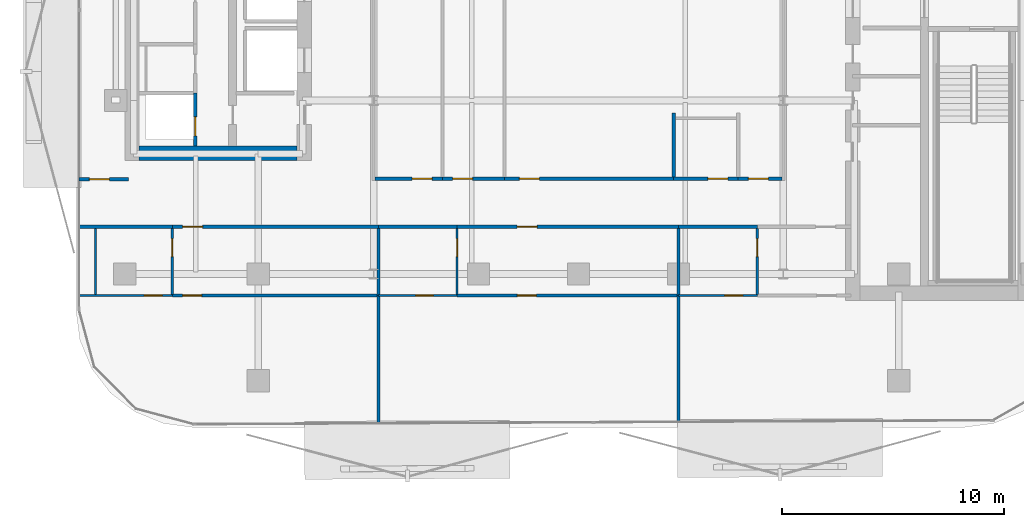
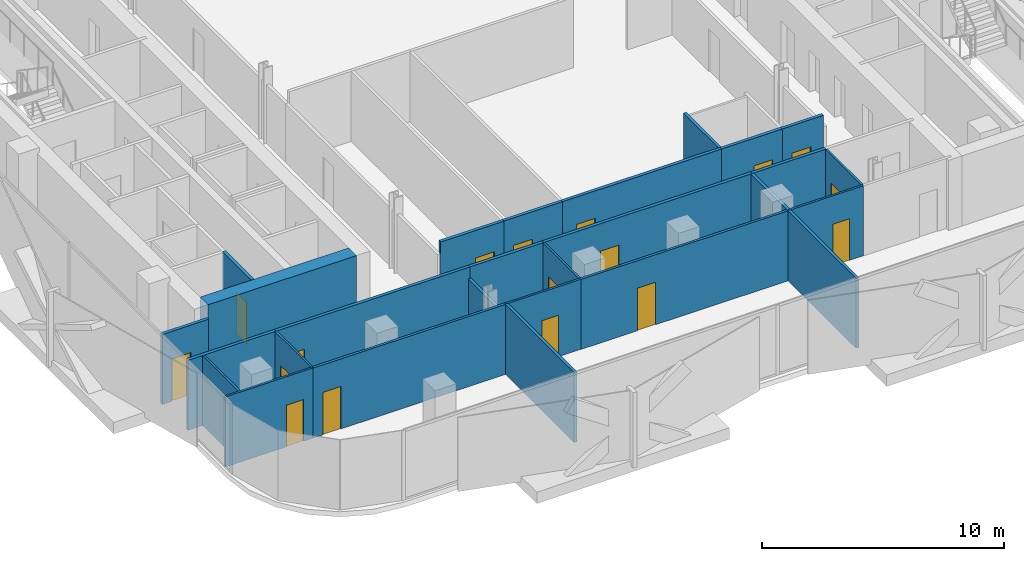
# One storey, part 3 of 17: 27 walls, 17 doors, 17 openings.
"""IFC4 building model written with IfcOpenShell, lengths in metres."""

from ifc_helpers import new_model, si_unit, direction, frame, frame_2d, origin, place, context, subcontext, project, spatial, rectangle, extrude, material, layer, layer_set, type_object, element, fill, save


model = new_model("IFC4")

# Units and contexts
model_context = context("Model", 3, precision=1e-05, world=origin(), true_north=direction((0.0, 1.0)))
body_context = subcontext(model_context, "Body", "Model", "MODEL_VIEW")
ifc_project = project(units=[si_unit("LENGTHUNIT", "METRE"), si_unit("AREAUNIT", "SQUARE_METRE"), si_unit("VOLUMEUNIT", "CUBIC_METRE"), si_unit("PLANEANGLEUNIT", "RADIAN"), si_unit("MASSUNIT", "GRAM", prefix="KILO")], contexts=[model_context])

# Site, building, storey
site_placement = place(None, origin())
site = spatial("IfcSite", under=ifc_project, at=site_placement, CompositionType="ELEMENT")
building_placement = place(site_placement, origin())
building = spatial("IfcBuilding", under=site, at=building_placement, Name="Khairoan Windgate Tower", CompositionType="ELEMENT")
storey_placement = place(building_placement, frame((0.0, 0.0, 199.199951171875)))
storey = spatial("IfcBuildingStorey", under=building, at=storey_placement, Name="L46", CompositionType="ELEMENT", Elevation=199.199951171875)

# Wall, opening, door
ifc_material_1 = material(Name="Moisture-Resistant Gypsum Partition", Category="gypsum")
ifc_layer_1 = layer(ifc_material_1, 0.10009765625, Name="Moisture-Resistant Gypsum Partition")
ifc_layer_set_1 = layer_set([ifc_layer_1], Name="Moisture-Resistant Gypsum Partition")
wall_type_1 = type_object("IfcWallType", Name="Bathroom Wet-Area Partition Wall", PredefinedType="PARTITIONING", material=ifc_layer_set_1)
wall_1_placement = place(storey_placement, frame((-18.260009765625, -19.52001953125, 0.0), z_axis=(0.0, 0.0, 1.0), x_axis=(0.0, 1.0, 0.0)))
wall_1 = element("IfcWall", 1, at=wall_1_placement, inside=storey, type_object=wall_type_1, Name="L46 Interior Partition 068", PredefinedType="PARTITIONING", context=body_context, shape_type="SweptSolid", body=[
    extrude(rectangle(XDim=2.965087890625, YDim=0.10009765625, at=frame_2d((1.482421875, 0.0))), origin(), (0.0, 0.0, 1.0), 3.5400390625),
])
opening_1_placement = place(wall_1_placement, frame((1.705078125, 0.0, 0.0)))
opening_1 = element("IfcOpeningElement", 2, at=opening_1_placement, cuts=wall_1, Name="Opening ID-BTH", PredefinedType="OPENING", context=body_context, shape_type="SweptSolid", body=[
    extrude(rectangle(XDim=0.800048828125, YDim=2.10009765625, at=frame_2d((0.39990234375, 1.050048828125))), frame((0.0, 0.06005859375, 0.0), z_axis=(0.0, -1.0, 0.0), x_axis=(1.0, 0.0, 0.0)), (0.0, 0.0, 1.0), 0.1201171875),
])
ifc_material_2 = material(Name="Teak Veneer Timber Leaf", Category="wood")
door_type_1 = type_object("IfcDoorType", Name="Internal Bathroom Door ID-BTH 800x2100", OperationType="NOTDEFINED", PredefinedType="DOOR", material=ifc_material_2)
door_1_placement = place(opening_1_placement, origin())
door_1 = element("IfcDoor", 3, at=door_1_placement, inside=storey, type_object=door_type_1, Name="L46 L46-52-L46-53 Door", OperationType="SINGLE_SWING_LEFT", OverallHeight=2.10009765625, OverallWidth=0.800048828125, PredefinedType="DOOR", context=body_context, shape_type="SweptSolid", body=[
    extrude(rectangle(XDim=0.800048828125, YDim=2.10009765625, at=frame_2d((0.39990234375, 1.050048828125))), frame((0.0, 0.02490234375, 0.0), z_axis=(0.0, -1.0, 0.0), x_axis=(1.0, 0.0, 0.0)), (0.0, 0.0, 1.0), 0.050048828125),
])
fill(opening_1, door_1)

wall_2_placement = place(storey_placement, frame((-22.455078125, -19.570068359375, 0.0), z_axis=(0.0, 0.0, 1.0), x_axis=(1.0, 0.0, 0.0)))
wall_2 = element("IfcWall", 4, at=wall_2_placement, inside=storey, type_object=wall_type_1, Name="L46 Interior Partition 069", PredefinedType="PARTITIONING", context=body_context, shape_type="SweptSolid", body=[
    extrude(rectangle(XDim=4.195068359375, YDim=0.10009765625, at=frame_2d((2.09765625, 0.0))), origin(), (0.0, 0.0, 1.0), 3.5400390625),
])
opening_2_placement = place(wall_2_placement, frame((2.93505859375, 0.0, 0.0)))
opening_2 = element("IfcOpeningElement", 5, at=opening_2_placement, cuts=wall_2, Name="Opening ID-BTH", PredefinedType="OPENING", context=body_context, shape_type="SweptSolid", body=[
    extrude(rectangle(XDim=0.800048828125, YDim=2.10009765625, at=frame_2d((0.39990234375, 1.050048828125))), frame((0.0, 0.06005859375, 0.0), z_axis=(0.0, -1.0, 0.0), x_axis=(1.0, 0.0, 0.0)), (0.0, 0.0, 1.0), 0.1201171875),
])
door_2_placement = place(opening_2_placement, origin())
door_2 = element("IfcDoor", 6, at=door_2_placement, inside=storey, type_object=door_type_1, Name="L46 L46-52-L46-54 Door", OperationType="SINGLE_SWING_RIGHT", OverallHeight=2.10009765625, OverallWidth=0.800048828125, PredefinedType="DOOR", context=body_context, shape_type="SweptSolid", body=[
    extrude(rectangle(XDim=0.800048828125, YDim=2.10009765625, at=frame_2d((0.39990234375, 1.050048828125))), frame((0.0, 0.02490234375, 0.0), z_axis=(0.0, -1.0, 0.0), x_axis=(1.0, 0.0, 0.0)), (0.0, 0.0, 1.0), 0.050048828125),
])
fill(opening_2, door_2)

wall_3_placement = place(storey_placement, frame((-5.4599609375, -19.52001953125, 0.0), z_axis=(0.0, 0.0, 1.0), x_axis=(0.0, 1.0, 0.0)))
wall_3 = element("IfcWall", 7, at=wall_3_placement, inside=storey, type_object=wall_type_1, Name="L46 Interior Partition 073", PredefinedType="PARTITIONING", context=body_context, shape_type="SweptSolid", body=[
    extrude(rectangle(XDim=2.965087890625, YDim=0.10009765625, at=frame_2d((1.482421875, 0.0))), origin(), (0.0, 0.0, 1.0), 3.5400390625),
])
opening_3_placement = place(wall_3_placement, frame((1.705078125, 0.0, 0.0)))
opening_3 = element("IfcOpeningElement", 8, at=opening_3_placement, cuts=wall_3, Name="Opening ID-BTH", PredefinedType="OPENING", context=body_context, shape_type="SweptSolid", body=[
    extrude(rectangle(XDim=0.800048828125, YDim=2.10009765625, at=frame_2d((0.39990234375, 1.050048828125))), frame((0.0, 0.06005859375, 0.0), z_axis=(0.0, -1.0, 0.0), x_axis=(1.0, 0.0, 0.0)), (0.0, 0.0, 1.0), 0.1201171875),
])
door_3_placement = place(opening_3_placement, origin())
door_3 = element("IfcDoor", 9, at=door_3_placement, inside=storey, type_object=door_type_1, Name="L46 L46-55-L46-56 Door", OperationType="SINGLE_SWING_RIGHT", OverallHeight=2.10009765625, OverallWidth=0.800048828125, PredefinedType="DOOR", context=body_context, shape_type="SweptSolid", body=[
    extrude(rectangle(XDim=0.800048828125, YDim=2.10009765625, at=frame_2d((0.39990234375, 1.050048828125))), frame((0.0, 0.02490234375, 0.0), z_axis=(0.0, -1.0, 0.0), x_axis=(1.0, 0.0, 0.0)), (0.0, 0.0, 1.0), 0.050048828125),
])
fill(opening_3, door_3)

wall_4_placement = place(storey_placement, frame((-9.0, -19.570068359375, 0.0), z_axis=(0.0, 0.0, 1.0), x_axis=(1.0, 0.0, 0.0)))
wall_4 = element("IfcWall", 10, at=wall_4_placement, inside=storey, type_object=wall_type_1, Name="L46 Interior Partition 074", PredefinedType="PARTITIONING", context=body_context, shape_type="SweptSolid", body=[
    extrude(rectangle(XDim=3.5400390625, YDim=0.10009765625, at=frame_2d((1.77001953125, 0.0))), origin(), (0.0, 0.0, 1.0), 3.5400390625),
])
opening_4_placement = place(wall_4_placement, frame((1.67333984375, 0.0, 0.0)))
opening_4 = element("IfcOpeningElement", 11, at=opening_4_placement, cuts=wall_4, Name="Opening ID-BTH", PredefinedType="OPENING", context=body_context, shape_type="SweptSolid", body=[
    extrude(rectangle(XDim=0.800048828125, YDim=2.10009765625, at=frame_2d((0.39990234375, 1.050048828125))), frame((0.0, 0.06005859375, 0.0), z_axis=(0.0, -1.0, 0.0), x_axis=(1.0, 0.0, 0.0)), (0.0, 0.0, 1.0), 0.1201171875),
])
door_4_placement = place(opening_4_placement, origin())
door_4 = element("IfcDoor", 12, at=door_4_placement, inside=storey, type_object=door_type_1, Name="L46 L46-55-L46-57 Door", OperationType="SINGLE_SWING_LEFT", OverallHeight=2.10009765625, OverallWidth=0.800048828125, PredefinedType="DOOR", context=body_context, shape_type="SweptSolid", body=[
    extrude(rectangle(XDim=0.800048828125, YDim=2.10009765625, at=frame_2d((0.39990234375, 1.050048828125))), frame((0.0, 0.02490234375, 0.0), z_axis=(0.0, -1.0, 0.0), x_axis=(1.0, 0.0, 0.0)), (0.0, 0.0, 1.0), 0.050048828125),
])
fill(opening_4, door_4)

wall_5_placement = place(storey_placement, frame((8.0400390625, -19.52001953125, 0.0), z_axis=(0.0, 0.0, 1.0), x_axis=(0.0, 1.0, 0.0)))
wall_5 = element("IfcWall", 13, at=wall_5_placement, inside=storey, type_object=wall_type_1, Name="L46 Interior Partition 078", PredefinedType="PARTITIONING", context=body_context, shape_type="SweptSolid", body=[
    extrude(rectangle(XDim=2.965087890625, YDim=0.10009765625, at=frame_2d((1.482421875, 0.0))), origin(), (0.0, 0.0, 1.0), 3.5400390625),
])
opening_5_placement = place(wall_5_placement, frame((1.705078125, 0.0, 0.0)))
opening_5 = element("IfcOpeningElement", 14, at=opening_5_placement, cuts=wall_5, Name="Opening ID-BTH", PredefinedType="OPENING", context=body_context, shape_type="SweptSolid", body=[
    extrude(rectangle(XDim=0.800048828125, YDim=2.10009765625, at=frame_2d((0.39990234375, 1.050048828125))), frame((0.0, 0.06005859375, 0.0), z_axis=(0.0, -1.0, 0.0), x_axis=(1.0, 0.0, 0.0)), (0.0, 0.0, 1.0), 0.1201171875),
])
door_5_placement = place(opening_5_placement, origin())
door_5 = element("IfcDoor", 15, at=door_5_placement, inside=storey, type_object=door_type_1, Name="L46 L46-58-L46-59 Door", OperationType="SINGLE_SWING_LEFT", OverallHeight=2.10009765625, OverallWidth=0.800048828125, PredefinedType="DOOR", context=body_context, shape_type="SweptSolid", body=[
    extrude(rectangle(XDim=0.800048828125, YDim=2.10009765625, at=frame_2d((0.39990234375, 1.050048828125))), frame((0.0, 0.02490234375, 0.0), z_axis=(0.0, -1.0, 0.0), x_axis=(1.0, 0.0, 0.0)), (0.0, 0.0, 1.0), 0.050048828125),
])
fill(opening_5, door_5)

wall_6_placement = place(storey_placement, frame((4.5, -19.570068359375, 0.0), z_axis=(0.0, 0.0, 1.0), x_axis=(1.0, 0.0, 0.0)))
wall_6 = element("IfcWall", 16, at=wall_6_placement, inside=storey, type_object=wall_type_1, Name="L46 Interior Partition 079", PredefinedType="PARTITIONING", context=body_context, shape_type="SweptSolid", body=[
    extrude(rectangle(XDim=3.5400390625, YDim=0.10009765625, at=frame_2d((1.77001953125, 0.0))), origin(), (0.0, 0.0, 1.0), 3.5400390625),
])
opening_6_placement = place(wall_6_placement, frame((2.077880859375, 0.0, 0.0)))
opening_6 = element("IfcOpeningElement", 17, at=opening_6_placement, cuts=wall_6, Name="Opening ID-BTH", PredefinedType="OPENING", context=body_context, shape_type="SweptSolid", body=[
    extrude(rectangle(XDim=0.800048828125, YDim=2.10009765625, at=frame_2d((0.39990234375, 1.050048828125))), frame((0.0, 0.06005859375, 0.0), z_axis=(0.0, -1.0, 0.0), x_axis=(1.0, 0.0, 0.0)), (0.0, 0.0, 1.0), 0.1201171875),
])
door_6_placement = place(opening_6_placement, origin())
door_6 = element("IfcDoor", 18, at=door_6_placement, inside=storey, type_object=door_type_1, Name="L46 L46-58-L46-60 Door", OperationType="SINGLE_SWING_RIGHT", OverallHeight=2.10009765625, OverallWidth=0.800048828125, PredefinedType="DOOR", context=body_context, shape_type="SweptSolid", body=[
    extrude(rectangle(XDim=0.800048828125, YDim=2.10009765625, at=frame_2d((0.39990234375, 1.050048828125))), frame((0.0, 0.02490234375, 0.0), z_axis=(0.0, -1.0, 0.0), x_axis=(1.0, 0.0, 0.0)), (0.0, 0.0, 1.0), 0.050048828125),
])
fill(opening_6, door_6)

# Walls
wall_7_placement = place(storey_placement, frame((-21.719970703125, -19.52001953125, 0.0), z_axis=(0.0, 0.0, 1.0), x_axis=(0.0, 1.0, 0.0)))
element("IfcWall", 19, at=wall_7_placement, inside=storey, type_object=wall_type_1, Name="L46 Wet Room Side Wall 086", PredefinedType="PARTITIONING", context=body_context, shape_type="SweptSolid", body=[
    extrude(rectangle(XDim=2.965087890625, YDim=0.10009765625, at=frame_2d((1.482421875, 0.0))), origin(), (0.0, 0.0, 1.0), 3.5400390625),
])
ifc_material_3 = material(Name="Acoustic Fire-Rated Gypsum Partition", Category="gypsum")
ifc_layer_2 = layer(ifc_material_3, 0.139892578125, Name="Acoustic Fire-Rated Gypsum Partition")
ifc_layer_set_2 = layer_set([ifc_layer_2], Name="Acoustic Fire-Rated Gypsum Partition")
wall_type_2 = type_object("IfcWallType", Name="Inter-Tenancy Compartment Wall", PredefinedType="PARTITIONING", material=ifc_layer_set_2)
wall_8_placement = place(storey_placement, frame((4.280029296875, -14.2451171875, 0.0), z_axis=(0.0, 0.0, 1.0), x_axis=(0.0, 1.0, 0.0)))
element("IfcWall", 20, at=wall_8_placement, inside=storey, type_object=wall_type_2, Name="L46 Interior Partition 046", PredefinedType="PARTITIONING", context=body_context, shape_type="SweptSolid", body=[
    extrude(rectangle(XDim=2.885009765625, YDim=0.139892578125, at=frame_2d((1.4423828125, 0.0))), origin(), (0.0, 0.0, 1.0), 3.5400390625),
])
wall_9_placement = place(storey_placement, frame((-9.0, -19.570068359375, 0.0), z_axis=(0.0, 0.0, 1.0), x_axis=(0.0, 1.0, 0.0)))
element("IfcWall", 21, at=wall_9_placement, inside=storey, type_object=wall_type_2, Name="L46 Interior Partition 071", PredefinedType="PARTITIONING", context=body_context, shape_type="SweptSolid", body=[
    extrude(rectangle(XDim=3.01513671875, YDim=0.139892578125, at=frame_2d((1.507568359375, 0.0))), origin(), (0.0, 0.0, 1.0), 2.9521484375),
])
wall_10_placement = place(storey_placement, frame((-9.0, -25.314208984375, 0.0), z_axis=(0.0, 0.0, 1.0), x_axis=(0.0, 1.0, 0.0)))
element("IfcWall", 22, at=wall_10_placement, inside=storey, type_object=wall_type_2, Name="L46 Interior Partition 072", PredefinedType="PARTITIONING", context=body_context, shape_type="SweptSolid", body=[
    extrude(rectangle(XDim=5.744140625, YDim=0.139892578125, at=frame_2d((2.8720703125, 0.0))), origin(), (0.0, 0.0, 1.0), 3.5400390625),
])
wall_11_placement = place(storey_placement, frame((4.5, -19.570068359375, 0.0), z_axis=(0.0, 0.0, 1.0), x_axis=(0.0, 1.0, 0.0)))
element("IfcWall", 23, at=wall_11_placement, inside=storey, type_object=wall_type_2, Name="L46 Interior Partition 076", PredefinedType="PARTITIONING", context=body_context, shape_type="SweptSolid", body=[
    extrude(rectangle(XDim=3.01513671875, YDim=0.139892578125, at=frame_2d((1.507568359375, 0.0))), origin(), (0.0, 0.0, 1.0), 3.5400390625),
])
wall_12_placement = place(storey_placement, frame((4.5, -25.24755859375, 0.0), z_axis=(0.0, 0.0, 1.0), x_axis=(0.0, 1.0, 0.0)))
element("IfcWall", 24, at=wall_12_placement, inside=storey, type_object=wall_type_2, Name="L46 Interior Partition 077", PredefinedType="PARTITIONING", context=body_context, shape_type="SweptSolid", body=[
    extrude(rectangle(XDim=5.677490234375, YDim=0.139892578125, at=frame_2d((2.8388671875, 0.0))), origin(), (0.0, 0.0, 1.0), 3.5400390625),
])

# Wall, opening, door
ifc_material_4 = material(Name="Gypsum Stud Partition", Category="gypsum")
ifc_layer_3 = layer(ifc_material_4, 0.1201171875, Name="Gypsum Stud Partition")
ifc_layer_set_3 = layer_set([ifc_layer_3], Name="Gypsum Stud Partition")
wall_type_3 = type_object("IfcWallType", Name="Internal Room Partition Wall", PredefinedType="PARTITIONING", material=ifc_layer_set_3)
wall_13_placement = place(storey_placement, frame((-18.260009765625, -19.570068359375, 0.0), z_axis=(0.0, 0.0, 1.0), x_axis=(1.0, 0.0, 0.0)))
wall_13 = element("IfcWall", 25, at=wall_13_placement, inside=storey, type_object=wall_type_3, Name="L46 Interior Partition 070", PredefinedType="PARTITIONING", context=body_context, shape_type="SweptSolid", body=[
    extrude(rectangle(XDim=9.260009765625, YDim=0.1201171875, at=frame_2d((4.6298828125, 0.0))), origin(), (0.0, 0.0, 1.0), 3.5400390625),
])
opening_7_placement = place(wall_13_placement, frame((0.4599609375, 0.0, 0.0)))
opening_7 = element("IfcOpeningElement", 26, at=opening_7_placement, cuts=wall_13, Name="Opening ID-RM", PredefinedType="OPENING", context=body_context, shape_type="SweptSolid", body=[
    extrude(rectangle(XDim=0.860107421875, YDim=2.14990234375, at=frame_2d((0.43017578125, 1.074951171875))), frame((0.0, 0.070068359375, 0.0), z_axis=(0.0, -1.0, 0.0), x_axis=(1.0, 0.0, 0.0)), (0.0, 0.0, 1.0), 0.14013671875),
])
ifc_material_5 = material(Name="Teak Veneer Timber Leaf", Category="wood")
door_type_2 = type_object("IfcDoorType", Name="Internal Bedroom and Office Door ID-RM 860x2150", OperationType="NOTDEFINED", PredefinedType="DOOR", material=ifc_material_5)
door_7_placement = place(opening_7_placement, origin())
door_7 = element("IfcDoor", 27, at=door_7_placement, inside=storey, type_object=door_type_2, Name="L46 L46-53-L46-54 Door", OperationType="SINGLE_SWING_LEFT", OverallHeight=2.14990234375, OverallWidth=0.860107421875, PredefinedType="DOOR", context=body_context, shape_type="SweptSolid", body=[
    extrude(rectangle(XDim=0.860107421875, YDim=2.14990234375, at=frame_2d((0.43017578125, 1.074951171875))), frame((0.0, 0.02490234375, 0.0), z_axis=(0.0, -1.0, 0.0), x_axis=(1.0, 0.0, 0.0)), (0.0, 0.0, 1.0), 0.050048828125),
])
fill(opening_7, door_7)

wall_14_placement = place(storey_placement, frame((-5.4599609375, -19.570068359375, 0.0), z_axis=(0.0, 0.0, 1.0), x_axis=(1.0, 0.0, 0.0)))
wall_14 = element("IfcWall", 28, at=wall_14_placement, inside=storey, type_object=wall_type_3, Name="L46 Interior Partition 075", PredefinedType="PARTITIONING", context=body_context, shape_type="SweptSolid", body=[
    extrude(rectangle(XDim=9.9599609375, YDim=0.1201171875, at=frame_2d((4.97998046875, 0.0))), origin(), (0.0, 0.0, 1.0), 3.5400390625),
])
opening_8_placement = place(wall_14_placement, frame((2.70947265625, 0.0, 0.0)))
opening_8 = element("IfcOpeningElement", 29, at=opening_8_placement, cuts=wall_14, Name="Opening ID-RM", PredefinedType="OPENING", context=body_context, shape_type="SweptSolid", body=[
    extrude(rectangle(XDim=0.860107421875, YDim=2.14990234375, at=frame_2d((0.43017578125, 1.074951171875))), frame((0.0, 0.070068359375, 0.0), z_axis=(0.0, -1.0, 0.0), x_axis=(1.0, 0.0, 0.0)), (0.0, 0.0, 1.0), 0.14013671875),
])
door_8_placement = place(opening_8_placement, origin())
door_8 = element("IfcDoor", 30, at=door_8_placement, inside=storey, type_object=door_type_2, Name="L46 L46-56-L46-57 Door", OperationType="SINGLE_SWING_RIGHT", OverallHeight=2.14990234375, OverallWidth=0.860107421875, PredefinedType="DOOR", context=body_context, shape_type="SweptSolid", body=[
    extrude(rectangle(XDim=0.860107421875, YDim=2.14990234375, at=frame_2d((0.43017578125, 1.074951171875))), frame((0.0, 0.02490234375, 0.0), z_axis=(0.0, -1.0, 0.0), x_axis=(1.0, 0.0, 0.0)), (0.0, 0.0, 1.0), 0.050048828125),
])
fill(opening_8, door_8)

ifc_material_6 = material(Name="Concrete C40/50", Category="concrete")
ifc_layer_4 = layer(ifc_material_6, 0.159912109375, Name="Concrete C40/50")
ifc_layer_set_4 = layer_set([ifc_layer_4], Name="Concrete C40/50")
wall_type_4 = type_object("IfcWallType", Name="Plant and Refuge Compartment Wall", PredefinedType="PARTITIONING", material=ifc_layer_set_4)
wall_15_placement = place(storey_placement, frame((-17.22998046875, -12.85009765625, 0.0), z_axis=(0.0, 0.0, 1.0), x_axis=(0.0, 1.0, 0.0)))
wall_15 = element("IfcWall", 31, at=wall_15_placement, inside=storey, type_object=wall_type_4, Name="L46 Interior Partition 001", PredefinedType="PARTITIONING", context=body_context, shape_type="SweptSolid", body=[
    extrude(rectangle(XDim=2.380126953125, YDim=0.159912109375, at=frame_2d((1.18994140625, 0.0))), origin(), (0.0, 0.0, 1.0), 3.5400390625),
])
opening_9_placement = place(wall_15_placement, frame((0.4599609375, 0.0, 0.0)))
opening_9 = element("IfcOpeningElement", 32, at=opening_9_placement, cuts=wall_15, Name="Opening FD-SRV", PredefinedType="OPENING", context=body_context, shape_type="SweptSolid", body=[
    extrude(rectangle(XDim=0.85009765625, YDim=2.10009765625, at=frame_2d((0.425048828125, 1.050048828125))), frame((0.0, 0.08984375, 0.0), z_axis=(0.0, -1.0, 0.0), x_axis=(1.0, 0.0, 0.0)), (0.0, 0.0, 1.0), 0.179931640625),
])
ifc_material_7 = material(Name="Steel S355", Category="steel")
door_type_3 = type_object("IfcDoorType", Name="Core Service and Riser Fire Door FD-SRV 850x2100", OperationType="NOTDEFINED", PredefinedType="DOOR", material=ifc_material_7)
door_9_placement = place(opening_9_placement, origin())
door_9 = element("IfcDoor", 33, at=door_9_placement, inside=storey, type_object=door_type_3, Name="L46 L46-04-L46-05 Door", OperationType="SINGLE_SWING_RIGHT", OverallHeight=2.10009765625, OverallWidth=0.85009765625, PredefinedType="DOOR", context=body_context, shape_type="SweptSolid", body=[
    extrude(rectangle(XDim=0.85009765625, YDim=2.10009765625, at=frame_2d((0.425048828125, 1.050048828125))), frame((0.0, 0.02490234375, 0.0), z_axis=(0.0, -1.0, 0.0), x_axis=(1.0, 0.0, 0.0)), (0.0, 0.0, 1.0), 0.050048828125),
])
fill(opening_9, door_9)

ifc_material_8 = material(Name="Acoustic Fire-Rated Gypsum Partition", Category="gypsum")
ifc_layer_5 = layer(ifc_material_8, 0.14990234375, Name="Acoustic Fire-Rated Gypsum Partition")
ifc_layer_set_5 = layer_set([ifc_layer_5], Name="Acoustic Fire-Rated Gypsum Partition")
wall_type_5 = type_object("IfcWallType", Name="Rated Corridor Partition Wall", PredefinedType="PARTITIONING", material=ifc_layer_set_5)
wall_16_placement = place(storey_placement, frame((-9.14501953125, -14.320068359375, 0.0), z_axis=(0.0, 0.0, 1.0), x_axis=(1.0, 0.0, 0.0)))
wall_16 = element("IfcWall", 34, at=wall_16_placement, inside=storey, type_object=wall_type_5, Name="L46 Interior Partition 030", PredefinedType="PARTITIONING", context=body_context, shape_type="SweptSolid", body=[
    extrude(rectangle(XDim=3.02490234375, YDim=0.14990234375, at=frame_2d((1.512451171875, 0.0))), origin(), (0.0, 0.0, 1.0), 3.5400390625),
])
opening_10_placement = place(wall_16_placement, frame((1.6650390625, 0.0, 0.0)))
opening_10 = element("IfcOpeningElement", 35, at=opening_10_placement, cuts=wall_16, Name="Opening FD-ENT", PredefinedType="OPENING", context=body_context, shape_type="SweptSolid", body=[
    extrude(rectangle(XDim=0.89990234375, YDim=2.14990234375, at=frame_2d((0.449951171875, 1.074951171875))), frame((0.0, 0.0849609375, 0.0), z_axis=(0.0, -1.0, 0.0), x_axis=(1.0, 0.0, 0.0)), (0.0, 0.0, 1.0), 0.169921875),
])
ifc_material_9 = material(Name="Timber Fire-Rated Core", Category="wood")
door_type_4 = type_object("IfcDoorType", Name="Unit and Office Fire Entrance Door FD-ENT 900x2150", OperationType="NOTDEFINED", PredefinedType="DOOR", material=ifc_material_9)
door_10_placement = place(opening_10_placement, origin())
door_10 = element("IfcDoor", 36, at=door_10_placement, inside=storey, type_object=door_type_4, Name="L46 L46-33-L46-34 Door", OperationType="SINGLE_SWING_RIGHT", OverallHeight=2.14990234375, OverallWidth=0.89990234375, PredefinedType="DOOR", context=body_context, shape_type="SweptSolid", body=[
    extrude(rectangle(XDim=0.89990234375, YDim=2.14990234375, at=frame_2d((0.449951171875, 1.074951171875))), frame((0.0, 0.02490234375, 0.0), z_axis=(0.0, -1.0, 0.0), x_axis=(1.0, 0.0, 0.0)), (0.0, 0.0, 1.0), 0.050048828125),
])
fill(opening_10, door_10)

wall_17_placement = place(storey_placement, frame((-6.1201171875, -14.320068359375, 0.0), z_axis=(0.0, 0.0, 1.0), x_axis=(1.0, 0.0, 0.0)))
wall_17 = element("IfcWall", 37, at=wall_17_placement, inside=storey, type_object=wall_type_5, Name="L46 Interior Partition 031", PredefinedType="PARTITIONING", context=body_context, shape_type="SweptSolid", body=[
    extrude(rectangle(XDim=2.800048828125, YDim=0.14990234375, at=frame_2d((1.39990234375, 0.0))), origin(), (0.0, 0.0, 1.0), 3.5400390625),
])
opening_11_placement = place(wall_17_placement, frame((0.4599609375, 0.0, 0.0)))
opening_11 = element("IfcOpeningElement", 38, at=opening_11_placement, cuts=wall_17, Name="Opening FD-ENT", PredefinedType="OPENING", context=body_context, shape_type="SweptSolid", body=[
    extrude(rectangle(XDim=0.89990234375, YDim=2.14990234375, at=frame_2d((0.449951171875, 1.074951171875))), frame((0.0, 0.0849609375, 0.0), z_axis=(0.0, -1.0, 0.0), x_axis=(1.0, 0.0, 0.0)), (0.0, 0.0, 1.0), 0.169921875),
])
door_11_placement = place(opening_11_placement, origin())
door_11 = element("IfcDoor", 39, at=door_11_placement, inside=storey, type_object=door_type_4, Name="L46 L46-33-L46-35 Door", OperationType="SINGLE_SWING_LEFT", OverallHeight=2.14990234375, OverallWidth=0.89990234375, PredefinedType="DOOR", context=body_context, shape_type="SweptSolid", body=[
    extrude(rectangle(XDim=0.89990234375, YDim=2.14990234375, at=frame_2d((0.449951171875, 1.074951171875))), frame((0.0, 0.02490234375, 0.0), z_axis=(0.0, -1.0, 0.0), x_axis=(1.0, 0.0, 0.0)), (0.0, 0.0, 1.0), 0.050048828125),
])
fill(opening_11, door_11)

wall_18_placement = place(storey_placement, frame((-3.320068359375, -14.320068359375, 0.0), z_axis=(0.0, 0.0, 1.0), x_axis=(1.0, 0.0, 0.0)))
wall_18 = element("IfcWall", 40, at=wall_18_placement, inside=storey, type_object=wall_type_5, Name="L46 Interior Partition 032", PredefinedType="PARTITIONING", context=body_context, shape_type="SweptSolid", body=[
    extrude(rectangle(XDim=7.60009765625, YDim=0.14990234375, at=frame_2d((3.800048828125, 0.0))), origin(), (0.0, 0.0, 1.0), 3.5400390625),
])
opening_12_placement = place(wall_18_placement, frame((0.66650390625, 0.0, 0.0)))
opening_12 = element("IfcOpeningElement", 41, at=opening_12_placement, cuts=wall_18, Name="Opening FD-ENT", PredefinedType="OPENING", context=body_context, shape_type="SweptSolid", body=[
    extrude(rectangle(XDim=0.89990234375, YDim=2.14990234375, at=frame_2d((0.449951171875, 1.074951171875))), frame((0.0, 0.0849609375, 0.0), z_axis=(0.0, -1.0, 0.0), x_axis=(1.0, 0.0, 0.0)), (0.0, 0.0, 1.0), 0.169921875),
])
door_12_placement = place(opening_12_placement, origin())
door_12 = element("IfcDoor", 42, at=door_12_placement, inside=storey, type_object=door_type_4, Name="L46 L46-33-L46-36 Door", OperationType="SINGLE_SWING_RIGHT", OverallHeight=2.14990234375, OverallWidth=0.89990234375, PredefinedType="DOOR", context=body_context, shape_type="SweptSolid", body=[
    extrude(rectangle(XDim=0.89990234375, YDim=2.14990234375, at=frame_2d((0.449951171875, 1.074951171875))), frame((0.0, 0.02490234375, 0.0), z_axis=(0.0, -1.0, 0.0), x_axis=(1.0, 0.0, 0.0)), (0.0, 0.0, 1.0), 0.050048828125),
])
fill(opening_12, door_12)

wall_19_placement = place(storey_placement, frame((4.280029296875, -14.320068359375, 0.0), z_axis=(0.0, 0.0, 1.0), x_axis=(1.0, 0.0, 0.0)))
wall_19 = element("IfcWall", 43, at=wall_19_placement, inside=storey, type_object=wall_type_5, Name="L46 Interior Partition 033", PredefinedType="PARTITIONING", context=body_context, shape_type="SweptSolid", body=[
    extrude(rectangle(XDim=2.89990234375, YDim=0.14990234375, at=frame_2d((1.449951171875, 0.0))), origin(), (0.0, 0.0, 1.0), 3.5400390625),
])
opening_13_placement = place(wall_19_placement, frame((1.5400390625, 0.0, 0.0)))
opening_13 = element("IfcOpeningElement", 44, at=opening_13_placement, cuts=wall_19, Name="Opening FD-ENT", PredefinedType="OPENING", context=body_context, shape_type="SweptSolid", body=[
    extrude(rectangle(XDim=0.89990234375, YDim=2.14990234375, at=frame_2d((0.449951171875, 1.074951171875))), frame((0.0, 0.0849609375, 0.0), z_axis=(0.0, -1.0, 0.0), x_axis=(1.0, 0.0, 0.0)), (0.0, 0.0, 1.0), 0.169921875),
])
door_13_placement = place(opening_13_placement, origin())
door_13 = element("IfcDoor", 45, at=door_13_placement, inside=storey, type_object=door_type_4, Name="L46 L46-33-L46-37 Door", OperationType="SINGLE_SWING_LEFT", OverallHeight=2.14990234375, OverallWidth=0.89990234375, PredefinedType="DOOR", context=body_context, shape_type="SweptSolid", body=[
    extrude(rectangle(XDim=0.89990234375, YDim=2.14990234375, at=frame_2d((0.449951171875, 1.074951171875))), frame((0.0, 0.02490234375, 0.0), z_axis=(0.0, -1.0, 0.0), x_axis=(1.0, 0.0, 0.0)), (0.0, 0.0, 1.0), 0.050048828125),
])
fill(opening_13, door_13)

wall_20_placement = place(storey_placement, frame((7.179931640625, -14.320068359375, 0.0), z_axis=(0.0, 0.0, 1.0), x_axis=(1.0, 0.0, 0.0)))
wall_20 = element("IfcWall", 46, at=wall_20_placement, inside=storey, type_object=wall_type_5, Name="L46 Interior Partition 034", PredefinedType="PARTITIONING", context=body_context, shape_type="SweptSolid", body=[
    extrude(rectangle(XDim=1.965087890625, YDim=0.14990234375, at=frame_2d((0.982421875, 0.0))), origin(), (0.0, 0.0, 1.0), 3.5400390625),
])
opening_14_placement = place(wall_20_placement, frame((0.4599609375, 0.0, 0.0)))
opening_14 = element("IfcOpeningElement", 47, at=opening_14_placement, cuts=wall_20, Name="Opening FD-ENT", PredefinedType="OPENING", context=body_context, shape_type="SweptSolid", body=[
    extrude(rectangle(XDim=0.89990234375, YDim=2.14990234375, at=frame_2d((0.449951171875, 1.074951171875))), frame((0.0, 0.0849609375, 0.0), z_axis=(0.0, -1.0, 0.0), x_axis=(1.0, 0.0, 0.0)), (0.0, 0.0, 1.0), 0.169921875),
])
door_14_placement = place(opening_14_placement, origin())
door_14 = element("IfcDoor", 48, at=door_14_placement, inside=storey, type_object=door_type_4, Name="L46 L46-33-L46-38 Door", OperationType="SINGLE_SWING_RIGHT", OverallHeight=2.14990234375, OverallWidth=0.89990234375, PredefinedType="DOOR", context=body_context, shape_type="SweptSolid", body=[
    extrude(rectangle(XDim=0.89990234375, YDim=2.14990234375, at=frame_2d((0.449951171875, 1.074951171875))), frame((0.0, 0.02490234375, 0.0), z_axis=(0.0, -1.0, 0.0), x_axis=(1.0, 0.0, 0.0)), (0.0, 0.0, 1.0), 0.050048828125),
])
fill(opening_14, door_14)

# Wall
wall_21_placement = place(storey_placement, frame((-22.455078125, -16.47998046875, 0.0), z_axis=(0.0, 0.0, 1.0), x_axis=(1.0, 0.0, 0.0)))
element("IfcWall", 49, at=wall_21_placement, inside=storey, type_object=wall_type_5, Name="L46 Interior Partition 035", PredefinedType="PARTITIONING", context=body_context, shape_type="SweptSolid", body=[
    extrude(rectangle(XDim=4.195068359375, YDim=0.14990234375, at=frame_2d((2.09765625, 0.0))), origin(), (0.0, 0.0, 1.0), 3.5400390625),
])

# Wall, opening, door
wall_22_placement = place(storey_placement, frame((-18.260009765625, -16.47998046875, 0.0), z_axis=(0.0, 0.0, 1.0), x_axis=(1.0, 0.0, 0.0)))
wall_22 = element("IfcWall", 50, at=wall_22_placement, inside=storey, type_object=wall_type_5, Name="L46 Interior Partition 036", PredefinedType="PARTITIONING", context=body_context, shape_type="SweptSolid", body=[
    extrude(rectangle(XDim=9.260009765625, YDim=0.14990234375, at=frame_2d((4.6298828125, 0.0))), origin(), (0.0, 0.0, 1.0), 3.5400390625),
])
opening_15_placement = place(wall_22_placement, frame((0.4599609375, 0.0, 0.0)))
opening_15 = element("IfcOpeningElement", 51, at=opening_15_placement, cuts=wall_22, Name="Opening FD-ENT", PredefinedType="OPENING", context=body_context, shape_type="SweptSolid", body=[
    extrude(rectangle(XDim=0.89990234375, YDim=2.14990234375, at=frame_2d((0.449951171875, 1.074951171875))), frame((0.0, 0.0849609375, 0.0), z_axis=(0.0, -1.0, 0.0), x_axis=(1.0, 0.0, 0.0)), (0.0, 0.0, 1.0), 0.169921875),
])
door_15_placement = place(opening_15_placement, origin())
door_15 = element("IfcDoor", 52, at=door_15_placement, inside=storey, type_object=door_type_4, Name="L46 L46-33-L46-53 Door", OperationType="SINGLE_SWING_LEFT", OverallHeight=2.14990234375, OverallWidth=0.89990234375, PredefinedType="DOOR", context=body_context, shape_type="SweptSolid", body=[
    extrude(rectangle(XDim=0.89990234375, YDim=2.14990234375, at=frame_2d((0.449951171875, 1.074951171875))), frame((0.0, 0.02490234375, 0.0), z_axis=(0.0, -1.0, 0.0), x_axis=(1.0, 0.0, 0.0)), (0.0, 0.0, 1.0), 0.050048828125),
])
fill(opening_15, door_15)

# Wall
wall_23_placement = place(storey_placement, frame((-9.0, -16.47998046875, 0.0), z_axis=(0.0, 0.0, 1.0), x_axis=(1.0, 0.0, 0.0)))
element("IfcWall", 53, at=wall_23_placement, inside=storey, type_object=wall_type_5, Name="L46 Interior Partition 037", PredefinedType="PARTITIONING", context=body_context, shape_type="SweptSolid", body=[
    extrude(rectangle(XDim=3.5400390625, YDim=0.14990234375, at=frame_2d((1.77001953125, 0.0))), origin(), (0.0, 0.0, 1.0), 3.5400390625),
])

# Wall, opening, door
wall_24_placement = place(storey_placement, frame((-5.4599609375, -16.47998046875, 0.0), z_axis=(0.0, 0.0, 1.0), x_axis=(1.0, 0.0, 0.0)))
wall_24 = element("IfcWall", 54, at=wall_24_placement, inside=storey, type_object=wall_type_5, Name="L46 Interior Partition 038", PredefinedType="PARTITIONING", context=body_context, shape_type="SweptSolid", body=[
    extrude(rectangle(XDim=9.9599609375, YDim=0.14990234375, at=frame_2d((4.97998046875, 0.0))), origin(), (0.0, 0.0, 1.0), 3.5400390625),
])
opening_16_placement = place(wall_24_placement, frame((2.698486328125, 0.0, 0.0)))
opening_16 = element("IfcOpeningElement", 55, at=opening_16_placement, cuts=wall_24, Name="Opening FD-ENT", PredefinedType="OPENING", context=body_context, shape_type="SweptSolid", body=[
    extrude(rectangle(XDim=0.89990234375, YDim=2.14990234375, at=frame_2d((0.449951171875, 1.074951171875))), frame((0.0, 0.0849609375, 0.0), z_axis=(0.0, -1.0, 0.0), x_axis=(1.0, 0.0, 0.0)), (0.0, 0.0, 1.0), 0.169921875),
])
door_16_placement = place(opening_16_placement, origin())
door_16 = element("IfcDoor", 56, at=door_16_placement, inside=storey, type_object=door_type_4, Name="L46 L46-33-L46-56 Door", OperationType="SINGLE_SWING_RIGHT", OverallHeight=2.14990234375, OverallWidth=0.89990234375, PredefinedType="DOOR", context=body_context, shape_type="SweptSolid", body=[
    extrude(rectangle(XDim=0.89990234375, YDim=2.14990234375, at=frame_2d((0.449951171875, 1.074951171875))), frame((0.0, 0.02490234375, 0.0), z_axis=(0.0, -1.0, 0.0), x_axis=(1.0, 0.0, 0.0)), (0.0, 0.0, 1.0), 0.050048828125),
])
fill(opening_16, door_16)

# Wall
wall_25_placement = place(storey_placement, frame((4.5, -16.47998046875, 0.0), z_axis=(0.0, 0.0, 1.0), x_axis=(1.0, 0.0, 0.0)))
element("IfcWall", 57, at=wall_25_placement, inside=storey, type_object=wall_type_5, Name="L46 Interior Partition 039", PredefinedType="PARTITIONING", context=body_context, shape_type="SweptSolid", body=[
    extrude(rectangle(XDim=3.5400390625, YDim=0.14990234375, at=frame_2d((1.77001953125, 0.0))), origin(), (0.0, 0.0, 1.0), 3.5400390625),
])

# Wall, opening, door
wall_26_placement = place(storey_placement, frame((-22.455078125, -14.340087890625, 0.0), z_axis=(0.0, 0.0, 1.0), x_axis=(1.0, 0.0, 0.0)))
wall_26 = element("IfcWall", 58, at=wall_26_placement, inside=storey, type_object=wall_type_5, Name="L46 Interior Partition 041", PredefinedType="PARTITIONING", context=body_context, shape_type="SweptSolid", body=[
    extrude(rectangle(XDim=2.215087890625, YDim=0.14990234375, at=frame_2d((1.107421875, 0.0))), origin(), (0.0, 0.0, 1.0), 3.5400390625),
])
opening_17_placement = place(wall_26_placement, frame((0.4599609375, 0.0, 0.0)))
opening_17 = element("IfcOpeningElement", 59, at=opening_17_placement, cuts=wall_26, Name="Opening FD-ENT", PredefinedType="OPENING", context=body_context, shape_type="SweptSolid", body=[
    extrude(rectangle(XDim=0.89990234375, YDim=2.14990234375, at=frame_2d((0.449951171875, 1.074951171875))), frame((0.0, 0.0849609375, 0.0), z_axis=(0.0, -1.0, 0.0), x_axis=(1.0, 0.0, 0.0)), (0.0, 0.0, 1.0), 0.169921875),
])
door_17_placement = place(opening_17_placement, origin())
door_17 = element("IfcDoor", 60, at=door_17_placement, inside=storey, type_object=door_type_4, Name="L46 L46-33-L46-62 Door", OperationType="SINGLE_SWING_RIGHT", OverallHeight=2.14990234375, OverallWidth=0.89990234375, PredefinedType="DOOR", context=body_context, shape_type="SweptSolid", body=[
    extrude(rectangle(XDim=0.89990234375, YDim=2.14990234375, at=frame_2d((0.449951171875, 1.074951171875))), frame((0.0, 0.02490234375, 0.0), z_axis=(0.0, -1.0, 0.0), x_axis=(1.0, 0.0, 0.0)), (0.0, 0.0, 1.0), 0.050048828125),
])
fill(opening_17, door_17)

# Wall
ifc_material_10 = material(Name="Concrete C60/75", Category="concrete")
ifc_layer_6 = layer(ifc_material_10, 0.64990234375, Name="Concrete C60/75")
ifc_layer_set_6 = layer_set([ifc_layer_6], Name="Concrete C60/75")
wall_type_6 = type_object("IfcWallType", Name="Shear Wall CW-W2 650mm", PredefinedType="SHEAR", material=ifc_layer_set_6)
wall_27_placement = place(storey_placement, frame((-19.75, -13.175048828125, 0.0), z_axis=(0.0, 0.0, 1.0), x_axis=(1.0, 0.0, 0.0)))
element("IfcWall", 61, at=wall_27_placement, inside=storey, type_object=wall_type_6, Name="W Core South Shear Wall L46", PredefinedType="SHEAR", context=body_context, shape_type="SweptSolid", body=[
    extrude(rectangle(XDim=7.10009765625, YDim=0.64990234375, at=frame_2d((3.550048828125, 0.0))), origin(), (0.0, 0.0, 1.0), 3.5400390625),
])

save(model, "model.ifc")
